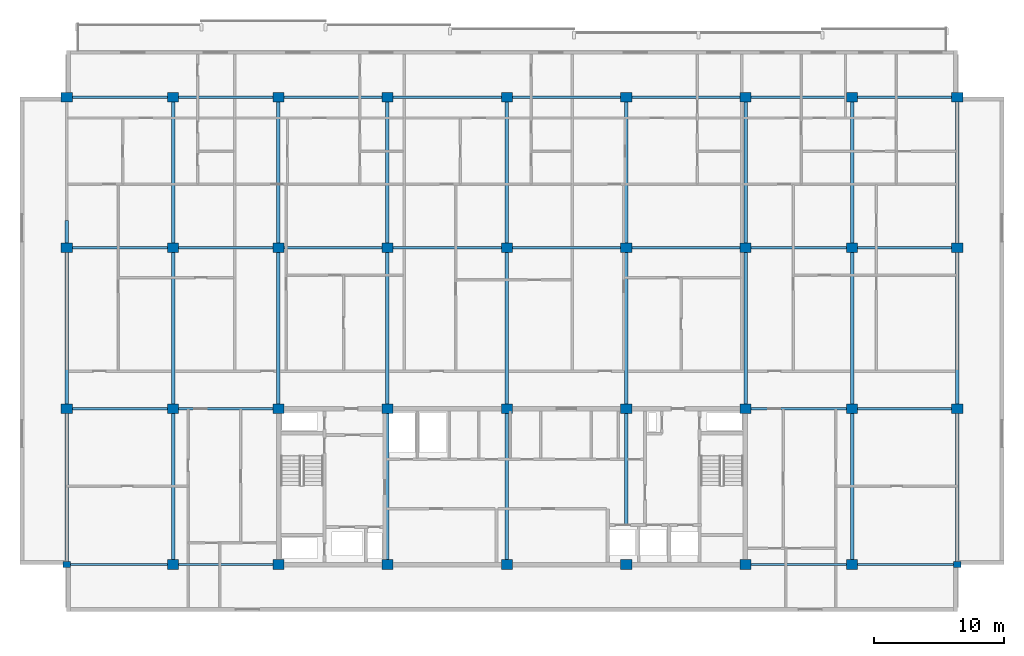
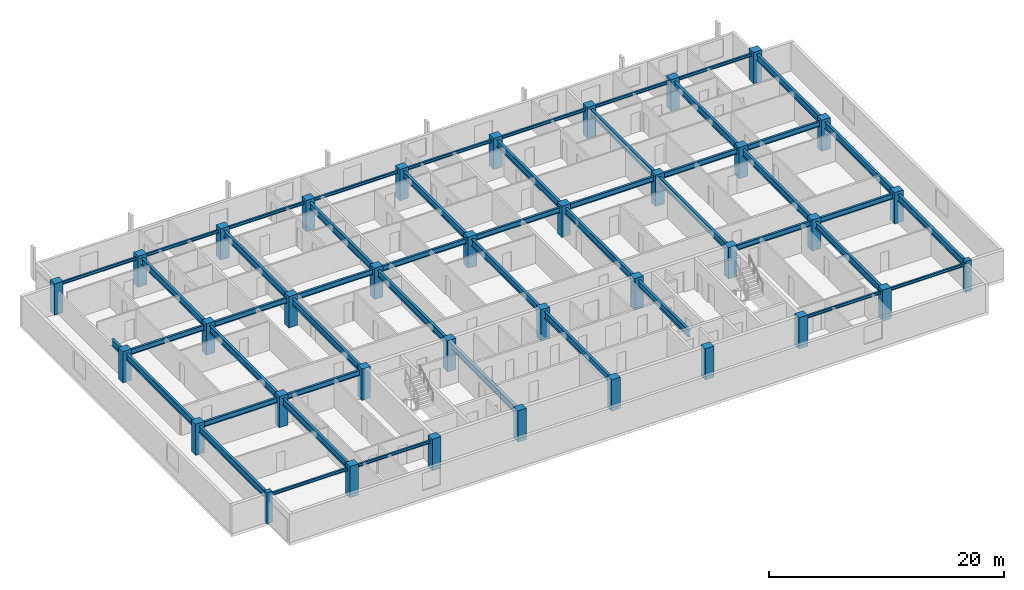
# One storey, part 1 of 11: 49 beams, 36 columns.
"""IFC4 building model written with IfcOpenShell, lengths in metres."""

import ifcopenshell
import ifcopenshell.guid

model = None  # the IFC model being written
_history = None  # IfcOwnerHistory: only IFC2X3 demands one
_inside = {}  # id of a spatial element -> (the spatial element, [elements in it])
_under = {}  # id of a project, library or spatial element -> (it, [spatial elements below it])
_declared = {}  # id of a project -> (the project, [libraries it declares])
_typed = {}  # id of a type object -> (the type object, [elements of that type])
_made_of = {}  # id of a material, layer set ... -> (it, [elements and type objects made of it])


def new_model(schema):
    """Start an empty IFC model of exactly this schema.

    Asked for "IFC4X3", IfcOpenShell would pick the latest addendum, in which some entities
    have other attributes; the version numbers below select the first issue.
    IFC2X3 requires an IfcOwnerHistory on every rooted entity: one is made here for all.
    """
    global model, _history
    if schema == "IFC4X3":
        model = ifcopenshell.file(schema_version=(4, 3, 0, 0))
    else:
        model = ifcopenshell.file(schema=schema)
    _inside.clear()
    _under.clear()
    _declared.clear()
    _typed.clear()
    _made_of.clear()
    _history = None
    if model.schema == "IFC2X3":
        org = make("IfcOrganization", Name="unknown")
        user = make(
            "IfcPersonAndOrganization",
            ThePerson=make("IfcPerson", FamilyName="unknown"),
            TheOrganization=org,
        )
        app = make(
            "IfcApplication",
            ApplicationDeveloper=org,
            Version="unknown",
            ApplicationFullName="unknown",
            ApplicationIdentifier="unknown",
        )
        _history = make(
            "IfcOwnerHistory",
            OwningUser=user,
            OwningApplication=app,
            ChangeAction="ADDED",
            CreationDate=0,
        )
    return model


def make(cls, **values):
    """One entity of the class cls with the attributes given. An attribute that is None is left unset."""
    return model.create_entity(
        cls, **{name: value for name, value in values.items() if value is not None}
    )


def rooted(cls, **values):
    """An entity with a GlobalId (a new one), such as an element, a storey or a relation."""
    return make(cls, GlobalId=ifcopenshell.guid.new(), OwnerHistory=_history, **values)


def si_unit(unit_type, name, prefix=None):
    """IfcSIUnit, for example si_unit("LENGTHUNIT", "METRE", prefix="MILLI")."""
    return make("IfcSIUnit", UnitType=unit_type, Prefix=prefix, Name=name)


def assignment(units):
    """IfcUnitAssignment: the units of a project."""
    return None if units is None else make("IfcUnitAssignment", Units=units)


def point(xyz):
    """IfcCartesianPoint."""
    return None if xyz is None else make("IfcCartesianPoint", Coordinates=xyz)


def direction(xyz):
    """IfcDirection."""
    return None if xyz is None else make("IfcDirection", DirectionRatios=xyz)


def frame(location, z_axis=None, x_axis=None):
    """IfcAxis2Placement3D, a coordinate frame: its origin and axes. An axis left out is left unset."""
    return make(
        "IfcAxis2Placement3D",
        Location=point(location),
        Axis=direction(z_axis),
        RefDirection=direction(x_axis),
    )


def frame_2d(location, x_axis=None):
    """IfcAxis2Placement2D, a coordinate frame in the plane: its origin and x axis."""
    return make(
        "IfcAxis2Placement2D", Location=point(location), RefDirection=direction(x_axis)
    )


def origin():
    """The frame at (0, 0, 0) with its axes left unset."""
    return frame((0.0, 0.0, 0.0))


def origin_2d():
    """The frame at (0, 0) in the plane with its x axis left unset."""
    return frame_2d((0.0, 0.0))


def place(relative_to, where):
    """IfcLocalPlacement: puts the frame where relative to a parent placement (None: the world)."""
    return make(
        "IfcLocalPlacement", PlacementRelTo=relative_to, RelativePlacement=where
    )


def context(
    kind, dimensions, precision=None, world=None, true_north=None, identifier=None
):
    """IfcGeometricRepresentationContext, for example the 3D "Model" context."""
    return make(
        "IfcGeometricRepresentationContext",
        ContextIdentifier=identifier,
        ContextType=kind,
        CoordinateSpaceDimension=dimensions,
        Precision=precision,
        WorldCoordinateSystem=world,
        TrueNorth=true_north,
    )


def subcontext(parent, identifier, kind, view, scale=None):
    """IfcGeometricRepresentationSubContext, for example "Body" below "Model"."""
    return make(
        "IfcGeometricRepresentationSubContext",
        ContextIdentifier=identifier,
        ContextType=kind,
        ParentContext=parent,
        TargetScale=scale,
        TargetView=view,
    )


def project(units=None, contexts=None):
    """IfcProject with its units and contexts."""
    return rooted(
        "IfcProject",
        Name="project",
        RepresentationContexts=contexts,
        UnitsInContext=assignment(units),
    )


def spatial(cls, under=None, at=None, **own):
    """A site, building, storey or space (cls), placed at a placement, below another one or the project."""
    s = rooted(cls, ObjectPlacement=at, **own)
    if under is not None:
        _under.setdefault(under.id(), (under, []))[1].append(s)
    return s


def profile(cls, at=None, kind="AREA", **sizes):
    """A parametric profile (cls). Its sizes go by their IFC names, for example OverallWidth=200.0."""
    return make(cls, ProfileType=kind, Position=at, **sizes)


def rectangle(**sizes):
    """IfcRectangleProfileDef."""
    return profile("IfcRectangleProfileDef", **sizes)


def i_section(**sizes):
    """IfcIShapeProfileDef."""
    return profile("IfcIShapeProfileDef", **sizes)


def extrude(swept, where, along, depth):
    """IfcExtrudedAreaSolid: the profile swept, set in the frame where, extruded along a direction by depth."""
    return make(
        "IfcExtrudedAreaSolid",
        SweptArea=swept,
        Position=where,
        ExtrudedDirection=direction(along),
        Depth=depth,
    )


def shape(context_of_items, identifier, shape_type, items):
    """IfcShapeRepresentation: the items that make up one representation, for example the "Body"."""
    return make(
        "IfcShapeRepresentation",
        ContextOfItems=context_of_items,
        RepresentationIdentifier=identifier,
        RepresentationType=shape_type,
        Items=items,
    )


def material(Name=None, Category=None):
    """IfcMaterial."""
    return make("IfcMaterial", Name=Name, Category=Category)


def material_profile(
    of_material, cross_section, Name=None, Category=None, Priority=None
):
    """IfcMaterialProfile: a cross section and its material."""
    return make(
        "IfcMaterialProfile",
        Name=Name,
        Material=of_material,
        Profile=cross_section,
        Priority=Priority,
        Category=Category,
    )


def profile_set(profiles, Name=None, composite=None):
    """IfcMaterialProfileSet."""
    return make(
        "IfcMaterialProfileSet",
        Name=Name,
        MaterialProfiles=profiles,
        CompositeProfile=composite,
    )


def made_of(thing, what):
    """Note that an element or type object is made of a material, layer set ...; save() writes the relation."""
    if what is not None:
        _made_of.setdefault(what.id(), (what, []))[1].append(thing)
    return thing


def type_object(cls, material=None, **own):
    """A type object (cls), such as IfcWallType, which elements share."""
    return made_of(rooted(cls, **own), material)


def element(
    cls,
    number,
    at=None,
    inside=None,
    cuts=None,
    type_object=None,
    material=None,
    context=None,
    identifier="Body",
    shape_type=None,
    held_by="IfcProductDefinitionShape",
    body=None,
    shapes=None,
    **own,
):
    """One element of the class cls, such as IfcWall. Its Tag is "e" and its number.

    at: its placement. inside: the storey or other place that contains it. cuts: it is an
    opening in that element (IfcRelVoidsElement). A single representation is given by context,
    identifier, shape_type and body (its items); several are given by shapes. held_by: the class
    of the entity that holds the representations. save() writes the other relations.
    """
    e = rooted(cls, Tag="e%d" % number, ObjectPlacement=at, **own)
    if body is not None:
        shapes = [shape(context, identifier, shape_type, body)]
    if shapes is not None:
        e.Representation = make(held_by, Representations=shapes)
    if inside is not None:
        _inside.setdefault(inside.id(), (inside, []))[1].append(e)
    if cuts is not None:
        rooted(
            "IfcRelVoidsElement", RelatingBuildingElement=cuts, RelatedOpeningElement=e
        )
    if type_object is not None:
        _typed.setdefault(type_object.id(), (type_object, []))[1].append(e)
    return made_of(e, material)


def aggregate(whole, parts):
    """IfcRelAggregates: a whole, such as a stair, and the parts it consists of."""
    return rooted("IfcRelAggregates", RelatingObject=whole, RelatedObjects=parts)


def save(model, path):
    """Write the relations noted so far, then the file.

    IfcRelAggregates (storeys below a building ...), IfcRelContainedInSpatialStructure (elements
    in a storey), IfcRelDefinesByType, IfcRelAssociatesMaterial and IfcRelDeclares: one each for
    every whole, place, type object, material and project.
    """
    for whole, parts in _under.values():
        aggregate(whole, parts)
    for where, things in _inside.values():
        rooted(
            "IfcRelContainedInSpatialStructure",
            RelatedElements=things,
            RelatingStructure=where,
        )
    for kind, things in _typed.values():
        rooted("IfcRelDefinesByType", RelatedObjects=things, RelatingType=kind)
    for what, things in _made_of.values():
        rooted("IfcRelAssociatesMaterial", RelatedObjects=things, RelatingMaterial=what)
    for by, libraries in _declared.values():
        rooted("IfcRelDeclares", RelatingContext=by, RelatedDefinitions=libraries)
    model.write(path)


model = new_model("IFC4")

# Units and contexts
model_context = context("Model", 3, precision=1e-05, world=origin(), true_north=direction((0.0, 1.0)))
body_context = subcontext(model_context, "Body", "Model", "MODEL_VIEW")
ifc_project = project(units=[si_unit("LENGTHUNIT", "METRE"), si_unit("AREAUNIT", "SQUARE_METRE"), si_unit("VOLUMEUNIT", "CUBIC_METRE"), si_unit("PLANEANGLEUNIT", "RADIAN"), si_unit("MASSUNIT", "GRAM", prefix="KILO")], contexts=[model_context])

# Site, building, storey
site_placement = place(None, origin())
site = spatial("IfcSite", under=ifc_project, at=site_placement, CompositionType="ELEMENT")
building_placement = place(site_placement, origin())
building = spatial("IfcBuilding", under=site, at=building_placement, Name="Korimba Cascade Residences", CompositionType="ELEMENT")
storey_placement = place(building_placement, frame((0.0, 0.0, 210.85009765625)))
storey = spatial("IfcBuildingStorey", under=building, at=storey_placement, Name="L61", CompositionType="ELEMENT", Elevation=210.85009765625)

# Columns
ifc_material_1 = material(Name="Concrete C65/80", Category="concrete")
ifc_material_profile_1 = material_profile(ifc_material_1, rectangle(XDim=0.550048828125, YDim=0.449951171875, at=origin_2d()), Name="Concrete C65/80")
ifc_profile_set_1 = profile_set([ifc_material_profile_1], Name="Concrete C65/80")
column_type_1 = type_object("IfcColumnType", Name="COL-PIL-550", PredefinedType="PILASTER", material=ifc_profile_set_1)
for number, where, z_axis, x_axis, name in (
    (1, (59.800048828125, 55.199951171875, 0.0), (0.0, 0.0, 1.0), (1.0, 0.0, 0.0), "L61 Tower 1 Column 1.1"),
    (2, (128.39990234375, 55.199951171875, 0.0), (0.0, 0.0, 1.0), (1.0, 0.0, 0.0), "L61 Tower 1 Column 9.1"),
):
    element("IfcColumn", number, at=place(storey_placement, frame(where, z_axis=z_axis, x_axis=x_axis)), inside=storey, type_object=column_type_1, Name=name, PredefinedType="PILASTER", context=body_context, shape_type="SweptSolid", body=[
        extrude(rectangle(XDim=0.550048828125, YDim=0.449951171875, at=origin_2d()), origin(), (0.0, 0.0, 1.0), 3.25),
    ])
ifc_material_profile_2 = material_profile(ifc_material_1, rectangle(XDim=0.85009765625, YDim=0.75, at=origin_2d()), Name="Concrete C65/80")
ifc_profile_set_2 = profile_set([ifc_material_profile_2], Name="Concrete C65/80")
column_type_2 = type_object("IfcColumnType", Name="COL-RC-850", PredefinedType="COLUMN", material=ifc_profile_set_2)
for number, where, z_axis, x_axis, name in (
    (3, (59.800048828125, 67.199951171875, 0.0), (0.0, 0.0, 1.0), (1.0, 0.0, 0.0), "L61 Tower 1 Column 1.2"),
    (4, (59.800048828125, 79.60009765625, 0.0), (0.0, 0.0, 1.0), (1.0, 0.0, 0.0), "L61 Tower 1 Column 1.3"),
    (5, (59.800048828125, 91.199951171875, 0.0), (0.0, 0.0, 1.0), (1.0, 0.0, 0.0), "L61 Tower 1 Column 1.4"),
    (6, (68.0, 55.199951171875, 0.0), (0.0, 0.0, 1.0), (1.0, 0.0, 0.0), "L61 Tower 1 Column 2.1"),
    (7, (68.0, 67.199951171875, 0.0), (0.0, 0.0, 1.0), (1.0, 0.0, 0.0), "L61 Tower 1 Column 2.2"),
    (8, (68.0, 79.60009765625, 0.0), (0.0, 0.0, 1.0), (1.0, 0.0, 0.0), "L61 Tower 1 Column 2.3"),
    (9, (68.0, 91.199951171875, 0.0), (0.0, 0.0, 1.0), (1.0, 0.0, 0.0), "L61 Tower 1 Column 2.4"),
    (10, (76.10009765625, 55.199951171875, 0.0), (0.0, 0.0, 1.0), (1.0, 0.0, 0.0), "L61 Tower 1 Column 3.1"),
    (11, (76.10009765625, 67.199951171875, 0.0), (0.0, 0.0, 1.0), (1.0, 0.0, 0.0), "L61 Tower 1 Column 3.2"),
    (12, (76.10009765625, 79.60009765625, 0.0), (0.0, 0.0, 1.0), (1.0, 0.0, 0.0), "L61 Tower 1 Column 3.3"),
    (13, (76.10009765625, 91.199951171875, 0.0), (0.0, 0.0, 1.0), (1.0, 0.0, 0.0), "L61 Tower 1 Column 3.4"),
    (14, (84.5, 55.199951171875, 0.0), (0.0, 0.0, 1.0), (1.0, 0.0, 0.0), "L61 Tower 1 Column 4.1"),
    (15, (84.5, 67.199951171875, 0.0), (0.0, 0.0, 1.0), (1.0, 0.0, 0.0), "L61 Tower 1 Column 4.2"),
    (16, (84.5, 79.60009765625, 0.0), (0.0, 0.0, 1.0), (1.0, 0.0, 0.0), "L61 Tower 1 Column 4.3"),
    (17, (84.5, 91.199951171875, 0.0), (0.0, 0.0, 1.0), (1.0, 0.0, 0.0), "L61 Tower 1 Column 4.4"),
    (18, (93.699951171875, 55.199951171875, 0.0), (0.0, 0.0, 1.0), (1.0, 0.0, 0.0), "L61 Tower 1 Column 5.1"),
    (19, (93.699951171875, 67.199951171875, 0.0), (0.0, 0.0, 1.0), (1.0, 0.0, 0.0), "L61 Tower 1 Column 5.2"),
    (20, (93.699951171875, 79.60009765625, 0.0), (0.0, 0.0, 1.0), (1.0, 0.0, 0.0), "L61 Tower 1 Column 5.3"),
    (21, (93.699951171875, 91.199951171875, 0.0), (0.0, 0.0, 1.0), (1.0, 0.0, 0.0), "L61 Tower 1 Column 5.4"),
    (22, (102.89990234375, 55.199951171875, 0.0), (0.0, 0.0, 1.0), (1.0, 0.0, 0.0), "L61 Tower 1 Column 6.1"),
    (23, (102.89990234375, 67.199951171875, 0.0), (0.0, 0.0, 1.0), (1.0, 0.0, 0.0), "L61 Tower 1 Column 6.2"),
    (24, (102.89990234375, 79.60009765625, 0.0), (0.0, 0.0, 1.0), (1.0, 0.0, 0.0), "L61 Tower 1 Column 6.3"),
    (25, (102.89990234375, 91.199951171875, 0.0), (0.0, 0.0, 1.0), (1.0, 0.0, 0.0), "L61 Tower 1 Column 6.4"),
    (26, (112.10009765625, 55.199951171875, 0.0), (0.0, 0.0, 1.0), (1.0, 0.0, 0.0), "L61 Tower 1 Column 7.1"),
    (27, (112.10009765625, 67.199951171875, 0.0), (0.0, 0.0, 1.0), (1.0, 0.0, 0.0), "L61 Tower 1 Column 7.2"),
    (28, (112.10009765625, 79.60009765625, 0.0), (0.0, 0.0, 1.0), (1.0, 0.0, 0.0), "L61 Tower 1 Column 7.3"),
    (29, (112.10009765625, 91.199951171875, 0.0), (0.0, 0.0, 1.0), (1.0, 0.0, 0.0), "L61 Tower 1 Column 7.4"),
    (30, (120.300048828125, 55.199951171875, 0.0), (0.0, 0.0, 1.0), (1.0, 0.0, 0.0), "L61 Tower 1 Column 8.1"),
    (31, (120.300048828125, 67.199951171875, 0.0), (0.0, 0.0, 1.0), (1.0, 0.0, 0.0), "L61 Tower 1 Column 8.2"),
    (32, (120.300048828125, 79.60009765625, 0.0), (0.0, 0.0, 1.0), (1.0, 0.0, 0.0), "L61 Tower 1 Column 8.3"),
    (33, (120.300048828125, 91.199951171875, 0.0), (0.0, 0.0, 1.0), (1.0, 0.0, 0.0), "L61 Tower 1 Column 8.4"),
    (34, (128.39990234375, 67.199951171875, 0.0), (0.0, 0.0, 1.0), (1.0, 0.0, 0.0), "L61 Tower 1 Column 9.2"),
    (35, (128.39990234375, 79.60009765625, 0.0), (0.0, 0.0, 1.0), (1.0, 0.0, 0.0), "L61 Tower 1 Column 9.3"),
    (36, (128.39990234375, 91.199951171875, 0.0), (0.0, 0.0, 1.0), (1.0, 0.0, 0.0), "L61 Tower 1 Column 9.4"),
):
    element("IfcColumn", number, at=place(storey_placement, frame(where, z_axis=z_axis, x_axis=x_axis)), inside=storey, type_object=column_type_2, Name=name, PredefinedType="COLUMN", context=body_context, shape_type="SweptSolid", body=[
        extrude(rectangle(XDim=0.85009765625, YDim=0.75, at=origin_2d()), origin(), (0.0, 0.0, 1.0), 3.25),
    ])

# Beams
ifc_material_2 = material(Name="Steel S355", Category="steel")
ifc_material_profile_3 = material_profile(ifc_material_2, i_section(OverallWidth=0.165771484375, OverallDepth=0.306640625, WebThickness=0.006591796875, FlangeThickness=0.01171875, FilletRadius=0.0087890625, at=origin_2d()), Name="Steel S355")
ifc_profile_set_3 = profile_set([ifc_material_profile_3], Name="Steel S355")
beam_type_1 = type_object("IfcBeamType", Name="BM-STL-UB305", PredefinedType="SPANDREL", material=ifc_profile_set_3)
beam_1_placement = place(storey_placement, frame((60.074951171875, 55.199951171875, 2.816650390625), z_axis=(1.0, 0.0, 0.0), x_axis=(0.0, 1.0, 0.0)))
element("IfcBeam", 37, at=beam_1_placement, inside=storey, type_object=beam_type_1, Name="L61 T1 E-W Girder Y1 Bay 1", PredefinedType="SPANDREL", context=body_context, shape_type="SweptSolid", body=[
    extrude(i_section(OverallWidth=0.165771484375, OverallDepth=0.306640625, WebThickness=0.006591796875, FlangeThickness=0.01171875, FilletRadius=0.0087890625, at=origin_2d()), origin(), (0.0, 0.0, 1.0), 7.5),
])
beam_2_placement = place(storey_placement, frame((68.425048828125, 55.199951171875, 2.816650390625), z_axis=(1.0, 0.0, 0.0), x_axis=(0.0, 1.0, 0.0)))
element("IfcBeam", 38, at=beam_2_placement, inside=storey, type_object=beam_type_1, Name="L61 T1 E-W Girder Y1 Bay 2", PredefinedType="SPANDREL", context=body_context, shape_type="SweptSolid", body=[
    extrude(i_section(OverallWidth=0.165771484375, OverallDepth=0.306640625, WebThickness=0.006591796875, FlangeThickness=0.01171875, FilletRadius=0.0087890625, at=origin_2d()), origin(), (0.0, 0.0, 1.0), 7.25),
])
beam_3_placement = place(storey_placement, frame((112.52490234375, 55.199951171875, 2.816650390625), z_axis=(1.0, 0.0, 0.0), x_axis=(0.0, 1.0, 0.0)))
element("IfcBeam", 39, at=beam_3_placement, inside=storey, type_object=beam_type_1, Name="L61 T1 E-W Girder Y1 Bay 7", PredefinedType="SPANDREL", context=body_context, shape_type="SweptSolid", body=[
    extrude(i_section(OverallWidth=0.165771484375, OverallDepth=0.306640625, WebThickness=0.006591796875, FlangeThickness=0.01171875, FilletRadius=0.0087890625, at=origin_2d()), origin(), (0.0, 0.0, 1.0), 7.35009765625),
])
beam_4_placement = place(storey_placement, frame((120.72509765625, 55.199951171875, 2.816650390625), z_axis=(1.0, 0.0, 0.0), x_axis=(0.0, 1.0, 0.0)))
element("IfcBeam", 40, at=beam_4_placement, inside=storey, type_object=beam_type_1, Name="L61 T1 E-W Girder Y1 Bay 8", PredefinedType="SPANDREL", context=body_context, shape_type="SweptSolid", body=[
    extrude(i_section(OverallWidth=0.165771484375, OverallDepth=0.306640625, WebThickness=0.006591796875, FlangeThickness=0.01171875, FilletRadius=0.0087890625, at=origin_2d()), origin(), (0.0, 0.0, 1.0), 7.39990234375),
])
beam_5_placement = place(storey_placement, frame((60.22509765625, 91.199951171875, 2.816650390625), z_axis=(1.0, 0.0, 0.0), x_axis=(0.0, 1.0, 0.0)))
element("IfcBeam", 41, at=beam_5_placement, inside=storey, type_object=beam_type_1, Name="L61 T1 E-W Girder Y4 Bay 1", PredefinedType="SPANDREL", context=body_context, shape_type="SweptSolid", body=[
    extrude(i_section(OverallWidth=0.165771484375, OverallDepth=0.306640625, WebThickness=0.006591796875, FlangeThickness=0.01171875, FilletRadius=0.0087890625, at=origin_2d()), origin(), (0.0, 0.0, 1.0), 7.349853515625),
])
beam_6_placement = place(storey_placement, frame((68.425048828125, 91.199951171875, 2.816650390625), z_axis=(1.0, 0.0, 0.0), x_axis=(0.0, 1.0, 0.0)))
element("IfcBeam", 42, at=beam_6_placement, inside=storey, type_object=beam_type_1, Name="L61 T1 E-W Girder Y4 Bay 2", PredefinedType="SPANDREL", context=body_context, shape_type="SweptSolid", body=[
    extrude(i_section(OverallWidth=0.165771484375, OverallDepth=0.306640625, WebThickness=0.006591796875, FlangeThickness=0.01171875, FilletRadius=0.0087890625, at=origin_2d()), origin(), (0.0, 0.0, 1.0), 7.25),
])
beam_7_placement = place(storey_placement, frame((76.52490234375, 91.199951171875, 2.816650390625), z_axis=(1.0, 0.0, 0.0), x_axis=(0.0, 1.0, 0.0)))
element("IfcBeam", 43, at=beam_7_placement, inside=storey, type_object=beam_type_1, Name="L61 T1 E-W Girder Y4 Bay 3", PredefinedType="SPANDREL", context=body_context, shape_type="SweptSolid", body=[
    extrude(i_section(OverallWidth=0.165771484375, OverallDepth=0.306640625, WebThickness=0.006591796875, FlangeThickness=0.01171875, FilletRadius=0.0087890625, at=origin_2d()), origin(), (0.0, 0.0, 1.0), 7.550048828125),
])
beam_8_placement = place(storey_placement, frame((84.925048828125, 91.199951171875, 2.816650390625), z_axis=(1.0, 0.0, 0.0), x_axis=(0.0, 1.0, 0.0)))
element("IfcBeam", 44, at=beam_8_placement, inside=storey, type_object=beam_type_1, Name="L61 T1 E-W Girder Y4 Bay 4", PredefinedType="SPANDREL", context=body_context, shape_type="SweptSolid", body=[
    extrude(i_section(OverallWidth=0.165771484375, OverallDepth=0.306640625, WebThickness=0.006591796875, FlangeThickness=0.01171875, FilletRadius=0.0087890625, at=origin_2d()), origin(), (0.0, 0.0, 1.0), 8.349853515625),
])
for number, where, z_axis, x_axis, name in (
    (45, (94.125, 91.199951171875, 2.816650390625), (1.0, 0.0, 0.0), (0.0, 1.0, 0.0), "L61 T1 E-W Girder Y4 Bay 5"),
    (46, (103.324951171875, 91.199951171875, 2.816650390625), (1.0, 0.0, 0.0), (0.0, 1.0, 0.0), "L61 T1 E-W Girder Y4 Bay 6"),
):
    element("IfcBeam", number, at=place(storey_placement, frame(where, z_axis=z_axis, x_axis=x_axis)), inside=storey, type_object=beam_type_1, Name=name, PredefinedType="SPANDREL", context=body_context, shape_type="SweptSolid", body=[
        extrude(i_section(OverallWidth=0.165771484375, OverallDepth=0.306640625, WebThickness=0.006591796875, FlangeThickness=0.01171875, FilletRadius=0.0087890625, at=origin_2d()), origin(), (0.0, 0.0, 1.0), 8.35009765625),
    ])
beam_9_placement = place(storey_placement, frame((112.52490234375, 91.199951171875, 2.816650390625), z_axis=(1.0, 0.0, 0.0), x_axis=(0.0, 1.0, 0.0)))
element("IfcBeam", 47, at=beam_9_placement, inside=storey, type_object=beam_type_1, Name="L61 T1 E-W Girder Y4 Bay 7", PredefinedType="SPANDREL", context=body_context, shape_type="SweptSolid", body=[
    extrude(i_section(OverallWidth=0.165771484375, OverallDepth=0.306640625, WebThickness=0.006591796875, FlangeThickness=0.01171875, FilletRadius=0.0087890625, at=origin_2d()), origin(), (0.0, 0.0, 1.0), 7.35009765625),
])
beam_10_placement = place(storey_placement, frame((120.72509765625, 91.199951171875, 2.816650390625), z_axis=(1.0, 0.0, 0.0), x_axis=(0.0, 1.0, 0.0)))
element("IfcBeam", 48, at=beam_10_placement, inside=storey, type_object=beam_type_1, Name="L61 T1 E-W Girder Y4 Bay 8", PredefinedType="SPANDREL", context=body_context, shape_type="SweptSolid", body=[
    extrude(i_section(OverallWidth=0.165771484375, OverallDepth=0.306640625, WebThickness=0.006591796875, FlangeThickness=0.01171875, FilletRadius=0.0087890625, at=origin_2d()), origin(), (0.0, 0.0, 1.0), 7.25),
])
ifc_material_profile_4 = material_profile(ifc_material_2, i_section(OverallWidth=0.2099609375, OverallDepth=0.53662109375, WebThickness=0.0107421875, FlangeThickness=0.017333984375, FilletRadius=0.0126953125, at=origin_2d()), Name="Steel S355")
ifc_profile_set_4 = profile_set([ifc_material_profile_4], Name="Steel S355")
beam_type_2 = type_object("IfcBeamType", Name="BM-STL-UB533", PredefinedType="BEAM", material=ifc_profile_set_4)
beam_11_placement = place(storey_placement, frame((60.22509765625, 67.199951171875, 2.701416015625), z_axis=(1.0, 0.0, 0.0), x_axis=(0.0, 1.0, 0.0)))
element("IfcBeam", 49, at=beam_11_placement, inside=storey, type_object=beam_type_2, Name="L61 T1 E-W Girder Y2 Bay 1", PredefinedType="BEAM", context=body_context, shape_type="SweptSolid", body=[
    extrude(i_section(OverallWidth=0.2099609375, OverallDepth=0.53662109375, WebThickness=0.0107421875, FlangeThickness=0.017333984375, FilletRadius=0.0126953125, at=origin_2d()), origin(), (0.0, 0.0, 1.0), 7.349853515625),
])
beam_12_placement = place(storey_placement, frame((68.425048828125, 67.199951171875, 2.701416015625), z_axis=(1.0, 0.0, 0.0), x_axis=(0.0, 1.0, 0.0)))
element("IfcBeam", 50, at=beam_12_placement, inside=storey, type_object=beam_type_2, Name="L61 T1 E-W Girder Y2 Bay 2", PredefinedType="BEAM", context=body_context, shape_type="SweptSolid", body=[
    extrude(i_section(OverallWidth=0.2099609375, OverallDepth=0.53662109375, WebThickness=0.0107421875, FlangeThickness=0.017333984375, FilletRadius=0.0126953125, at=origin_2d()), origin(), (0.0, 0.0, 1.0), 7.25),
])
beam_13_placement = place(storey_placement, frame((112.52490234375, 67.199951171875, 2.701416015625), z_axis=(1.0, 0.0, 0.0), x_axis=(0.0, 1.0, 0.0)))
element("IfcBeam", 51, at=beam_13_placement, inside=storey, type_object=beam_type_2, Name="L61 T1 E-W Girder Y2 Bay 7", PredefinedType="BEAM", context=body_context, shape_type="SweptSolid", body=[
    extrude(i_section(OverallWidth=0.2099609375, OverallDepth=0.53662109375, WebThickness=0.0107421875, FlangeThickness=0.017333984375, FilletRadius=0.0126953125, at=origin_2d()), origin(), (0.0, 0.0, 1.0), 7.35009765625),
])
beam_14_placement = place(storey_placement, frame((120.72509765625, 67.199951171875, 2.701416015625), z_axis=(1.0, 0.0, 0.0), x_axis=(0.0, 1.0, 0.0)))
element("IfcBeam", 52, at=beam_14_placement, inside=storey, type_object=beam_type_2, Name="L61 T1 E-W Girder Y2 Bay 8", PredefinedType="BEAM", context=body_context, shape_type="SweptSolid", body=[
    extrude(i_section(OverallWidth=0.2099609375, OverallDepth=0.53662109375, WebThickness=0.0107421875, FlangeThickness=0.017333984375, FilletRadius=0.0126953125, at=origin_2d()), origin(), (0.0, 0.0, 1.0), 7.25),
])
beam_15_placement = place(storey_placement, frame((60.22509765625, 79.60009765625, 2.701416015625), z_axis=(1.0, 0.0, 0.0), x_axis=(0.0, 1.0, 0.0)))
element("IfcBeam", 53, at=beam_15_placement, inside=storey, type_object=beam_type_2, Name="L61 T1 E-W Girder Y3 Bay 1", PredefinedType="BEAM", context=body_context, shape_type="SweptSolid", body=[
    extrude(i_section(OverallWidth=0.2099609375, OverallDepth=0.53662109375, WebThickness=0.0107421875, FlangeThickness=0.017333984375, FilletRadius=0.0126953125, at=origin_2d()), origin(), (0.0, 0.0, 1.0), 7.349853515625),
])
beam_16_placement = place(storey_placement, frame((68.425048828125, 79.60009765625, 2.701416015625), z_axis=(1.0, 0.0, 0.0), x_axis=(0.0, 1.0, 0.0)))
element("IfcBeam", 54, at=beam_16_placement, inside=storey, type_object=beam_type_2, Name="L61 T1 E-W Girder Y3 Bay 2", PredefinedType="BEAM", context=body_context, shape_type="SweptSolid", body=[
    extrude(i_section(OverallWidth=0.2099609375, OverallDepth=0.53662109375, WebThickness=0.0107421875, FlangeThickness=0.017333984375, FilletRadius=0.0126953125, at=origin_2d()), origin(), (0.0, 0.0, 1.0), 7.25),
])
beam_17_placement = place(storey_placement, frame((76.52490234375, 79.60009765625, 2.701416015625), z_axis=(1.0, 0.0, 0.0), x_axis=(0.0, 1.0, 0.0)))
element("IfcBeam", 55, at=beam_17_placement, inside=storey, type_object=beam_type_2, Name="L61 T1 E-W Girder Y3 Bay 3", PredefinedType="BEAM", context=body_context, shape_type="SweptSolid", body=[
    extrude(i_section(OverallWidth=0.2099609375, OverallDepth=0.53662109375, WebThickness=0.0107421875, FlangeThickness=0.017333984375, FilletRadius=0.0126953125, at=origin_2d()), origin(), (0.0, 0.0, 1.0), 7.550048828125),
])
beam_18_placement = place(storey_placement, frame((84.925048828125, 79.60009765625, 2.701416015625), z_axis=(1.0, 0.0, 0.0), x_axis=(0.0, 1.0, 0.0)))
element("IfcBeam", 56, at=beam_18_placement, inside=storey, type_object=beam_type_2, Name="L61 T1 E-W Girder Y3 Bay 4", PredefinedType="BEAM", context=body_context, shape_type="SweptSolid", body=[
    extrude(i_section(OverallWidth=0.2099609375, OverallDepth=0.53662109375, WebThickness=0.0107421875, FlangeThickness=0.017333984375, FilletRadius=0.0126953125, at=origin_2d()), origin(), (0.0, 0.0, 1.0), 8.349853515625),
])
for number, where, z_axis, x_axis, name in (
    (57, (94.125, 79.60009765625, 2.701416015625), (1.0, 0.0, 0.0), (0.0, 1.0, 0.0), "L61 T1 E-W Girder Y3 Bay 5"),
    (58, (103.324951171875, 79.60009765625, 2.701416015625), (1.0, 0.0, 0.0), (0.0, 1.0, 0.0), "L61 T1 E-W Girder Y3 Bay 6"),
):
    element("IfcBeam", number, at=place(storey_placement, frame(where, z_axis=z_axis, x_axis=x_axis)), inside=storey, type_object=beam_type_2, Name=name, PredefinedType="BEAM", context=body_context, shape_type="SweptSolid", body=[
        extrude(i_section(OverallWidth=0.2099609375, OverallDepth=0.53662109375, WebThickness=0.0107421875, FlangeThickness=0.017333984375, FilletRadius=0.0126953125, at=origin_2d()), origin(), (0.0, 0.0, 1.0), 8.35009765625),
    ])
beam_19_placement = place(storey_placement, frame((112.52490234375, 79.60009765625, 2.701416015625), z_axis=(1.0, 0.0, 0.0), x_axis=(0.0, 1.0, 0.0)))
element("IfcBeam", 59, at=beam_19_placement, inside=storey, type_object=beam_type_2, Name="L61 T1 E-W Girder Y3 Bay 7", PredefinedType="BEAM", context=body_context, shape_type="SweptSolid", body=[
    extrude(i_section(OverallWidth=0.2099609375, OverallDepth=0.53662109375, WebThickness=0.0107421875, FlangeThickness=0.017333984375, FilletRadius=0.0126953125, at=origin_2d()), origin(), (0.0, 0.0, 1.0), 7.35009765625),
])
beam_20_placement = place(storey_placement, frame((120.72509765625, 79.60009765625, 2.701416015625), z_axis=(1.0, 0.0, 0.0), x_axis=(0.0, 1.0, 0.0)))
element("IfcBeam", 60, at=beam_20_placement, inside=storey, type_object=beam_type_2, Name="L61 T1 E-W Girder Y3 Bay 8", PredefinedType="BEAM", context=body_context, shape_type="SweptSolid", body=[
    extrude(i_section(OverallWidth=0.2099609375, OverallDepth=0.53662109375, WebThickness=0.0107421875, FlangeThickness=0.017333984375, FilletRadius=0.0126953125, at=origin_2d()), origin(), (0.0, 0.0, 1.0), 7.25),
])
ifc_material_profile_5 = material_profile(ifc_material_2, i_section(OverallWidth=0.255859375, OverallDepth=0.69287109375, WebThickness=0.014404296875, FlangeThickness=0.023681640625, FilletRadius=0.01513671875, at=origin_2d()), Name="Steel S355")
ifc_profile_set_5 = profile_set([ifc_material_profile_5], Name="Steel S355")
beam_type_3 = type_object("IfcBeamType", Name="BM-STL-UB686", PredefinedType="BEAM", material=ifc_profile_set_5)
beam_21_placement = place(storey_placement, frame((59.800048828125, 55.425048828125, 2.623291015625), z_axis=(0.0, 1.0, 0.0), x_axis=(-1.0, 0.0, 0.0)))
element("IfcBeam", 61, at=beam_21_placement, inside=storey, type_object=beam_type_3, Name="L61 T1 N-S Girder X1 Seg 1", PredefinedType="BEAM", context=body_context, shape_type="SweptSolid", body=[
    extrude(i_section(OverallWidth=0.255859375, OverallDepth=0.69287109375, WebThickness=0.014404296875, FlangeThickness=0.023681640625, FilletRadius=0.01513671875, at=origin_2d()), origin(), (0.0, 0.0, 1.0), 11.39990234375),
])
beam_22_placement = place(storey_placement, frame((59.800048828125, 67.574951171875, 2.623291015625), z_axis=(0.0, 1.0, 0.0), x_axis=(-1.0, 0.0, 0.0)))
element("IfcBeam", 62, at=beam_22_placement, inside=storey, type_object=beam_type_3, Name="L61 T1 N-S Girder X1 Seg 2", PredefinedType="BEAM", context=body_context, shape_type="SweptSolid", body=[
    extrude(i_section(OverallWidth=0.255859375, OverallDepth=0.69287109375, WebThickness=0.014404296875, FlangeThickness=0.023681640625, FilletRadius=0.01513671875, at=origin_2d()), origin(), (0.0, 0.0, 1.0), 11.650146484375),
])
beam_23_placement = place(storey_placement, frame((59.800048828125, 79.97509765625, 2.623291015625), z_axis=(0.0, 1.0, 0.0), x_axis=(-1.0, 0.0, 0.0)))
element("IfcBeam", 63, at=beam_23_placement, inside=storey, type_object=beam_type_3, Name="L61 T1 N-S Girder X1 Seg 3", PredefinedType="BEAM", context=body_context, shape_type="SweptSolid", body=[
    extrude(i_section(OverallWidth=0.255859375, OverallDepth=0.69287109375, WebThickness=0.014404296875, FlangeThickness=0.023681640625, FilletRadius=0.01513671875, at=origin_2d()), origin(), (0.0, 0.0, 1.0), 1.724853515625),
])
beam_24_placement = place(storey_placement, frame((68.0, 55.574951171875, 2.623291015625), z_axis=(0.0, 1.0, 0.0), x_axis=(-1.0, 0.0, 0.0)))
element("IfcBeam", 64, at=beam_24_placement, inside=storey, type_object=beam_type_3, Name="L61 T1 N-S Girder X2 Seg 1", PredefinedType="BEAM", context=body_context, shape_type="SweptSolid", body=[
    extrude(i_section(OverallWidth=0.255859375, OverallDepth=0.69287109375, WebThickness=0.014404296875, FlangeThickness=0.023681640625, FilletRadius=0.01513671875, at=origin_2d()), origin(), (0.0, 0.0, 1.0), 11.25),
])
beam_25_placement = place(storey_placement, frame((68.0, 67.574951171875, 2.623291015625), z_axis=(0.0, 1.0, 0.0), x_axis=(-1.0, 0.0, 0.0)))
element("IfcBeam", 65, at=beam_25_placement, inside=storey, type_object=beam_type_3, Name="L61 T1 N-S Girder X2 Seg 2", PredefinedType="BEAM", context=body_context, shape_type="SweptSolid", body=[
    extrude(i_section(OverallWidth=0.255859375, OverallDepth=0.69287109375, WebThickness=0.014404296875, FlangeThickness=0.023681640625, FilletRadius=0.01513671875, at=origin_2d()), origin(), (0.0, 0.0, 1.0), 11.650146484375),
])
beam_26_placement = place(storey_placement, frame((68.0, 79.97509765625, 2.623291015625), z_axis=(0.0, 1.0, 0.0), x_axis=(-1.0, 0.0, 0.0)))
element("IfcBeam", 66, at=beam_26_placement, inside=storey, type_object=beam_type_3, Name="L61 T1 N-S Girder X2 Seg 3", PredefinedType="BEAM", context=body_context, shape_type="SweptSolid", body=[
    extrude(i_section(OverallWidth=0.255859375, OverallDepth=0.69287109375, WebThickness=0.014404296875, FlangeThickness=0.023681640625, FilletRadius=0.01513671875, at=origin_2d()), origin(), (0.0, 0.0, 1.0), 10.849853515625),
])
beam_27_placement = place(storey_placement, frame((76.10009765625, 67.574951171875, 2.623291015625), z_axis=(0.0, 1.0, 0.0), x_axis=(-1.0, 0.0, 0.0)))
element("IfcBeam", 67, at=beam_27_placement, inside=storey, type_object=beam_type_3, Name="L61 T1 N-S Girder X3 Seg 2", PredefinedType="BEAM", context=body_context, shape_type="SweptSolid", body=[
    extrude(i_section(OverallWidth=0.255859375, OverallDepth=0.69287109375, WebThickness=0.014404296875, FlangeThickness=0.023681640625, FilletRadius=0.01513671875, at=origin_2d()), origin(), (0.0, 0.0, 1.0), 11.650146484375),
])
beam_28_placement = place(storey_placement, frame((76.10009765625, 79.97509765625, 2.623291015625), z_axis=(0.0, 1.0, 0.0), x_axis=(-1.0, 0.0, 0.0)))
element("IfcBeam", 68, at=beam_28_placement, inside=storey, type_object=beam_type_3, Name="L61 T1 N-S Girder X3 Seg 3", PredefinedType="BEAM", context=body_context, shape_type="SweptSolid", body=[
    extrude(i_section(OverallWidth=0.255859375, OverallDepth=0.69287109375, WebThickness=0.014404296875, FlangeThickness=0.023681640625, FilletRadius=0.01513671875, at=origin_2d()), origin(), (0.0, 0.0, 1.0), 10.849853515625),
])
beam_29_placement = place(storey_placement, frame((84.5, 55.574951171875, 2.623291015625), z_axis=(0.0, 1.0, 0.0), x_axis=(-1.0, 0.0, 0.0)))
element("IfcBeam", 69, at=beam_29_placement, inside=storey, type_object=beam_type_3, Name="L61 T1 N-S Girder X4 Seg 1", PredefinedType="BEAM", context=body_context, shape_type="SweptSolid", body=[
    extrude(i_section(OverallWidth=0.255859375, OverallDepth=0.69287109375, WebThickness=0.014404296875, FlangeThickness=0.023681640625, FilletRadius=0.01513671875, at=origin_2d()), origin(), (0.0, 0.0, 1.0), 11.25),
])
beam_30_placement = place(storey_placement, frame((84.5, 67.574951171875, 2.623291015625), z_axis=(0.0, 1.0, 0.0), x_axis=(-1.0, 0.0, 0.0)))
element("IfcBeam", 70, at=beam_30_placement, inside=storey, type_object=beam_type_3, Name="L61 T1 N-S Girder X4 Seg 2", PredefinedType="BEAM", context=body_context, shape_type="SweptSolid", body=[
    extrude(i_section(OverallWidth=0.255859375, OverallDepth=0.69287109375, WebThickness=0.014404296875, FlangeThickness=0.023681640625, FilletRadius=0.01513671875, at=origin_2d()), origin(), (0.0, 0.0, 1.0), 11.650146484375),
])
beam_31_placement = place(storey_placement, frame((84.5, 79.97509765625, 2.623291015625), z_axis=(0.0, 1.0, 0.0), x_axis=(-1.0, 0.0, 0.0)))
element("IfcBeam", 71, at=beam_31_placement, inside=storey, type_object=beam_type_3, Name="L61 T1 N-S Girder X4 Seg 3", PredefinedType="BEAM", context=body_context, shape_type="SweptSolid", body=[
    extrude(i_section(OverallWidth=0.255859375, OverallDepth=0.69287109375, WebThickness=0.014404296875, FlangeThickness=0.023681640625, FilletRadius=0.01513671875, at=origin_2d()), origin(), (0.0, 0.0, 1.0), 10.849853515625),
])
beam_32_placement = place(storey_placement, frame((93.699951171875, 55.574951171875, 2.623291015625), z_axis=(0.0, 1.0, 0.0), x_axis=(-1.0, 0.0, 0.0)))
element("IfcBeam", 72, at=beam_32_placement, inside=storey, type_object=beam_type_3, Name="L61 T1 N-S Girder X5 Seg 1", PredefinedType="BEAM", context=body_context, shape_type="SweptSolid", body=[
    extrude(i_section(OverallWidth=0.255859375, OverallDepth=0.69287109375, WebThickness=0.014404296875, FlangeThickness=0.023681640625, FilletRadius=0.01513671875, at=origin_2d()), origin(), (0.0, 0.0, 1.0), 11.25),
])
beam_33_placement = place(storey_placement, frame((93.699951171875, 67.574951171875, 2.623291015625), z_axis=(0.0, 1.0, 0.0), x_axis=(-1.0, 0.0, 0.0)))
element("IfcBeam", 73, at=beam_33_placement, inside=storey, type_object=beam_type_3, Name="L61 T1 N-S Girder X5 Seg 2", PredefinedType="BEAM", context=body_context, shape_type="SweptSolid", body=[
    extrude(i_section(OverallWidth=0.255859375, OverallDepth=0.69287109375, WebThickness=0.014404296875, FlangeThickness=0.023681640625, FilletRadius=0.01513671875, at=origin_2d()), origin(), (0.0, 0.0, 1.0), 11.650146484375),
])
beam_34_placement = place(storey_placement, frame((93.699951171875, 79.97509765625, 2.623291015625), z_axis=(0.0, 1.0, 0.0), x_axis=(-1.0, 0.0, 0.0)))
element("IfcBeam", 74, at=beam_34_placement, inside=storey, type_object=beam_type_3, Name="L61 T1 N-S Girder X5 Seg 3", PredefinedType="BEAM", context=body_context, shape_type="SweptSolid", body=[
    extrude(i_section(OverallWidth=0.255859375, OverallDepth=0.69287109375, WebThickness=0.014404296875, FlangeThickness=0.023681640625, FilletRadius=0.01513671875, at=origin_2d()), origin(), (0.0, 0.0, 1.0), 10.849853515625),
])
beam_35_placement = place(storey_placement, frame((102.89990234375, 58.260009765625, 2.623291015625), z_axis=(0.0, 1.0, 0.0), x_axis=(-1.0, 0.0, 0.0)))
element("IfcBeam", 75, at=beam_35_placement, inside=storey, type_object=beam_type_3, Name="L61 T1 N-S Girder X6 Seg 1", PredefinedType="BEAM", context=body_context, shape_type="SweptSolid", body=[
    extrude(i_section(OverallWidth=0.255859375, OverallDepth=0.69287109375, WebThickness=0.014404296875, FlangeThickness=0.023681640625, FilletRadius=0.01513671875, at=origin_2d()), origin(), (0.0, 0.0, 1.0), 8.56494140625),
])
beam_36_placement = place(storey_placement, frame((102.89990234375, 67.574951171875, 2.623291015625), z_axis=(0.0, 1.0, 0.0), x_axis=(-1.0, 0.0, 0.0)))
element("IfcBeam", 76, at=beam_36_placement, inside=storey, type_object=beam_type_3, Name="L61 T1 N-S Girder X6 Seg 2", PredefinedType="BEAM", context=body_context, shape_type="SweptSolid", body=[
    extrude(i_section(OverallWidth=0.255859375, OverallDepth=0.69287109375, WebThickness=0.014404296875, FlangeThickness=0.023681640625, FilletRadius=0.01513671875, at=origin_2d()), origin(), (0.0, 0.0, 1.0), 11.650146484375),
])
beam_37_placement = place(storey_placement, frame((102.89990234375, 79.97509765625, 2.623291015625), z_axis=(0.0, 1.0, 0.0), x_axis=(-1.0, 0.0, 0.0)))
element("IfcBeam", 77, at=beam_37_placement, inside=storey, type_object=beam_type_3, Name="L61 T1 N-S Girder X6 Seg 3", PredefinedType="BEAM", context=body_context, shape_type="SweptSolid", body=[
    extrude(i_section(OverallWidth=0.255859375, OverallDepth=0.69287109375, WebThickness=0.014404296875, FlangeThickness=0.023681640625, FilletRadius=0.01513671875, at=origin_2d()), origin(), (0.0, 0.0, 1.0), 10.849853515625),
])
beam_38_placement = place(storey_placement, frame((112.10009765625, 67.574951171875, 2.623291015625), z_axis=(0.0, 1.0, 0.0), x_axis=(-1.0, 0.0, 0.0)))
element("IfcBeam", 78, at=beam_38_placement, inside=storey, type_object=beam_type_3, Name="L61 T1 N-S Girder X7 Seg 2", PredefinedType="BEAM", context=body_context, shape_type="SweptSolid", body=[
    extrude(i_section(OverallWidth=0.255859375, OverallDepth=0.69287109375, WebThickness=0.014404296875, FlangeThickness=0.023681640625, FilletRadius=0.01513671875, at=origin_2d()), origin(), (0.0, 0.0, 1.0), 11.650146484375),
])
beam_39_placement = place(storey_placement, frame((112.10009765625, 79.97509765625, 2.623291015625), z_axis=(0.0, 1.0, 0.0), x_axis=(-1.0, 0.0, 0.0)))
element("IfcBeam", 79, at=beam_39_placement, inside=storey, type_object=beam_type_3, Name="L61 T1 N-S Girder X7 Seg 3", PredefinedType="BEAM", context=body_context, shape_type="SweptSolid", body=[
    extrude(i_section(OverallWidth=0.255859375, OverallDepth=0.69287109375, WebThickness=0.014404296875, FlangeThickness=0.023681640625, FilletRadius=0.01513671875, at=origin_2d()), origin(), (0.0, 0.0, 1.0), 10.849853515625),
])
beam_40_placement = place(storey_placement, frame((120.300048828125, 55.574951171875, 2.623291015625), z_axis=(0.0, 1.0, 0.0), x_axis=(-1.0, 0.0, 0.0)))
element("IfcBeam", 80, at=beam_40_placement, inside=storey, type_object=beam_type_3, Name="L61 T1 N-S Girder X8 Seg 1", PredefinedType="BEAM", context=body_context, shape_type="SweptSolid", body=[
    extrude(i_section(OverallWidth=0.255859375, OverallDepth=0.69287109375, WebThickness=0.014404296875, FlangeThickness=0.023681640625, FilletRadius=0.01513671875, at=origin_2d()), origin(), (0.0, 0.0, 1.0), 11.25),
])
beam_41_placement = place(storey_placement, frame((120.300048828125, 67.574951171875, 2.623291015625), z_axis=(0.0, 1.0, 0.0), x_axis=(-1.0, 0.0, 0.0)))
element("IfcBeam", 81, at=beam_41_placement, inside=storey, type_object=beam_type_3, Name="L61 T1 N-S Girder X8 Seg 2", PredefinedType="BEAM", context=body_context, shape_type="SweptSolid", body=[
    extrude(i_section(OverallWidth=0.255859375, OverallDepth=0.69287109375, WebThickness=0.014404296875, FlangeThickness=0.023681640625, FilletRadius=0.01513671875, at=origin_2d()), origin(), (0.0, 0.0, 1.0), 11.650146484375),
])
beam_42_placement = place(storey_placement, frame((120.300048828125, 79.97509765625, 2.623291015625), z_axis=(0.0, 1.0, 0.0), x_axis=(-1.0, 0.0, 0.0)))
element("IfcBeam", 82, at=beam_42_placement, inside=storey, type_object=beam_type_3, Name="L61 T1 N-S Girder X8 Seg 3", PredefinedType="BEAM", context=body_context, shape_type="SweptSolid", body=[
    extrude(i_section(OverallWidth=0.255859375, OverallDepth=0.69287109375, WebThickness=0.014404296875, FlangeThickness=0.023681640625, FilletRadius=0.01513671875, at=origin_2d()), origin(), (0.0, 0.0, 1.0), 10.849853515625),
])
beam_43_placement = place(storey_placement, frame((128.39990234375, 55.425048828125, 2.623291015625), z_axis=(0.0, 1.0, 0.0), x_axis=(-1.0, 0.0, 0.0)))
element("IfcBeam", 83, at=beam_43_placement, inside=storey, type_object=beam_type_3, Name="L61 T1 N-S Girder X9 Seg 1", PredefinedType="BEAM", context=body_context, shape_type="SweptSolid", body=[
    extrude(i_section(OverallWidth=0.255859375, OverallDepth=0.69287109375, WebThickness=0.014404296875, FlangeThickness=0.023681640625, FilletRadius=0.01513671875, at=origin_2d()), origin(), (0.0, 0.0, 1.0), 11.39990234375),
])
beam_44_placement = place(storey_placement, frame((128.39990234375, 67.574951171875, 2.623291015625), z_axis=(0.0, 1.0, 0.0), x_axis=(-1.0, 0.0, 0.0)))
element("IfcBeam", 84, at=beam_44_placement, inside=storey, type_object=beam_type_3, Name="L61 T1 N-S Girder X9 Seg 2", PredefinedType="BEAM", context=body_context, shape_type="SweptSolid", body=[
    extrude(i_section(OverallWidth=0.255859375, OverallDepth=0.69287109375, WebThickness=0.014404296875, FlangeThickness=0.023681640625, FilletRadius=0.01513671875, at=origin_2d()), origin(), (0.0, 0.0, 1.0), 11.650146484375),
])
beam_45_placement = place(storey_placement, frame((128.39990234375, 79.97509765625, 2.623291015625), z_axis=(0.0, 1.0, 0.0), x_axis=(-1.0, 0.0, 0.0)))
element("IfcBeam", 85, at=beam_45_placement, inside=storey, type_object=beam_type_3, Name="L61 T1 N-S Girder X9 Seg 3", PredefinedType="BEAM", context=body_context, shape_type="SweptSolid", body=[
    extrude(i_section(OverallWidth=0.255859375, OverallDepth=0.69287109375, WebThickness=0.014404296875, FlangeThickness=0.023681640625, FilletRadius=0.01513671875, at=origin_2d()), origin(), (0.0, 0.0, 1.0), 10.849853515625),
])

save(model, "model.ifc")
